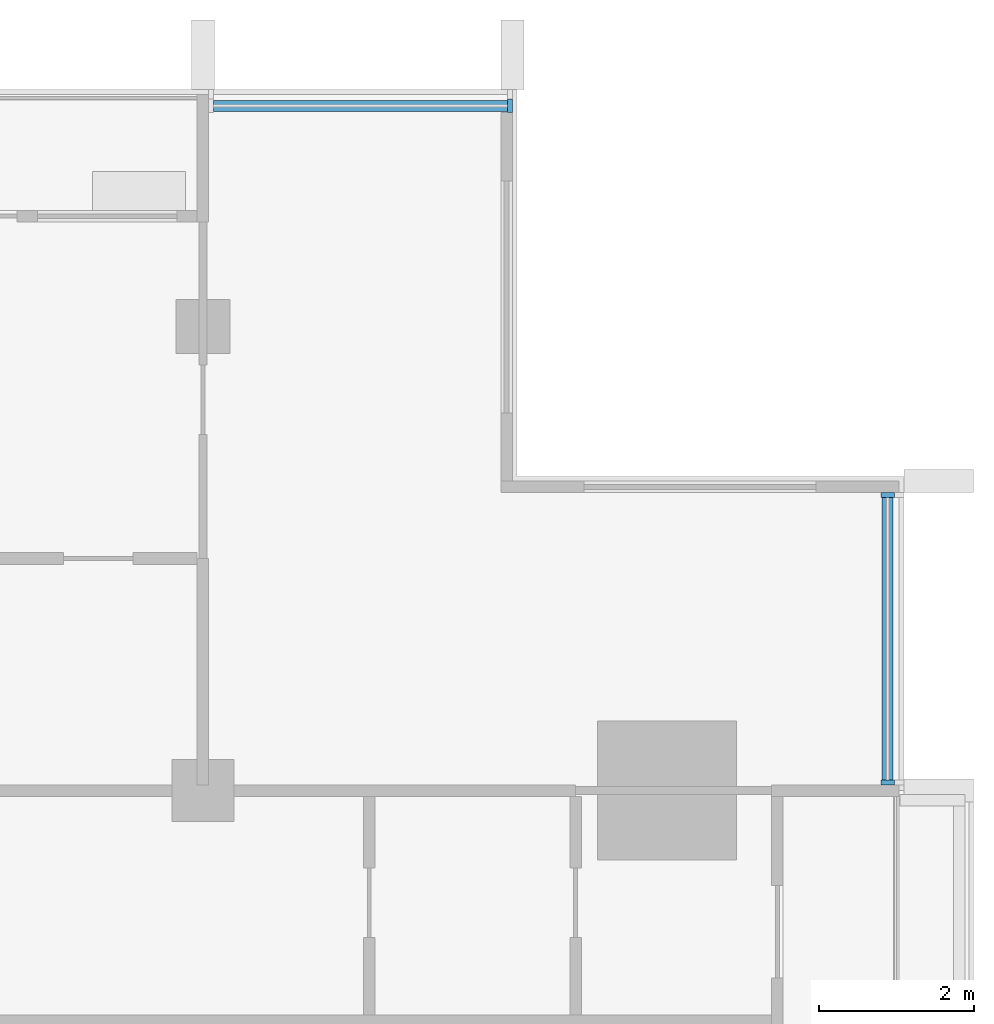
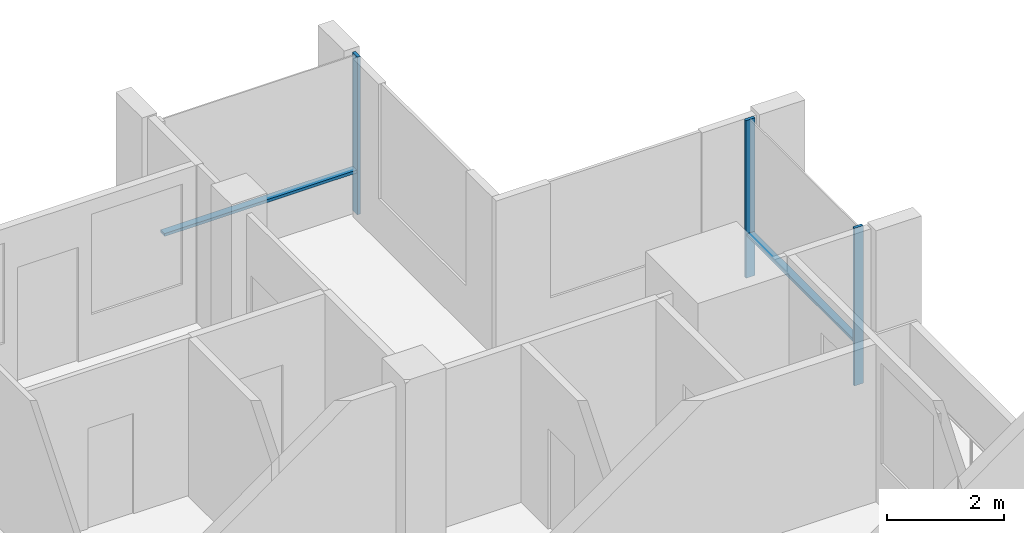
# One storey, part 5 of 16: 5 members, 2 elements without a shape of their own.
"""IFC4 building model written with IfcOpenShell, lengths in metres."""

from ifc_helpers import new_model, si_unit, direction, frame, origin, origin_2d, place, context, subcontext, project, spatial, rectangle, extrude, material, material_profile, profile_set, type_object, element, aggregate, save


model = new_model("IFC4")

# Units and contexts
model_context = context("Model", 3, precision=1e-05, world=origin(), true_north=direction((0.0, 1.0)))
body_context = subcontext(model_context, "Body", "Model", "MODEL_VIEW")
ifc_project = project(units=[si_unit("LENGTHUNIT", "METRE"), si_unit("AREAUNIT", "SQUARE_METRE"), si_unit("VOLUMEUNIT", "CUBIC_METRE"), si_unit("PLANEANGLEUNIT", "RADIAN"), si_unit("MASSUNIT", "GRAM", prefix="KILO")], contexts=[model_context])

# Site, building, storey
site_placement = place(None, origin())
site = spatial("IfcSite", under=ifc_project, at=site_placement, CompositionType="ELEMENT")
building_placement = place(site_placement, origin())
building = spatial("IfcBuilding", under=site, at=building_placement, Name="Finial Court Residences", CompositionType="ELEMENT")
storey_placement = place(building_placement, frame((0.0, 0.0, 259.10009765625)))
storey = spatial("IfcBuildingStorey", under=building, at=storey_placement, Name="L65", CompositionType="ELEMENT", Elevation=259.10009765625)

# Curtain wall, member
ifc_material = material(Name="Bronze anodised aluminium", Category="aluminium")
curtain_wall_type = type_object("IfcCurtainWallType", Name="Unitised curtain wall, upper zones", PredefinedType="NOTDEFINED", material=ifc_material)
curtain_wall_1_placement = place(storey_placement, origin())
curtain_wall_1 = element("IfcCurtainWall", 1, at=curtain_wall_1_placement, inside=storey, type_object=curtain_wall_type, Name="E-L65-CW-N3", PredefinedType="NOTDEFINED")
ifc_material_profile_1 = material_profile(ifc_material, rectangle(XDim=0.175048828125, YDim=0.06005859375, at=origin_2d()), Name="CW2 mullion 60 x 175")
ifc_profile_set_1 = profile_set([ifc_material_profile_1], Name="Bronze anodised aluminium")
member_type_1 = type_object("IfcMemberType", Name="CW2 mullion 60 x 175", PredefinedType="MULLION", material=ifc_profile_set_1)
member_1_placement = place(storey_placement, frame((14.469970703125, 16.35009765625, 0.0), z_axis=(0.0, 0.0, 1.0), x_axis=(0.0, 1.0, 0.0)))
member_1 = element("IfcMember", 2, at=member_1_placement, type_object=member_type_1, Name="CW2 mullion 2", PredefinedType="MULLION", context=body_context, shape_type="SweptSolid", body=[
    extrude(rectangle(XDim=0.175048828125, YDim=0.06005859375, at=origin_2d()), origin(), (0.0, 0.0, 1.0), 3.2998046875),
])

# Curtain wall, members
curtain_wall_2_placement = place(storey_placement, origin())
curtain_wall_2 = element("IfcCurtainWall", 3, at=curtain_wall_2_placement, inside=storey, type_object=curtain_wall_type, Name="E-L65-CW-E6", PredefinedType="NOTDEFINED")
member_2_placement = place(storey_placement, frame((19.35009765625, 7.60498046875, 0.0), z_axis=(0.0, 0.0, 1.0), x_axis=(-1.0, 0.0, 0.0)))
member_2 = element("IfcMember", 4, at=member_2_placement, type_object=member_type_1, Name="CW2 mullion 1", PredefinedType="MULLION", context=body_context, shape_type="SweptSolid", body=[
    extrude(rectangle(XDim=0.175048828125, YDim=0.06005859375, at=origin_2d()), origin(), (0.0, 0.0, 1.0), 3.2998046875),
])
member_3_placement = place(storey_placement, frame((19.35009765625, 11.320068359375, 0.0), z_axis=(0.0, 0.0, 1.0), x_axis=(-1.0, 0.0, 0.0)))
member_3 = element("IfcMember", 5, at=member_3_placement, type_object=member_type_1, Name="CW2 mullion 2", PredefinedType="MULLION", context=body_context, shape_type="SweptSolid", body=[
    extrude(rectangle(XDim=0.175048828125, YDim=0.06005859375, at=origin_2d()), origin(), (0.0, 0.0, 1.0), 3.2998046875),
])

# Member
ifc_material_profile_2 = material_profile(ifc_material, rectangle(XDim=0.139892578125, YDim=0.06005859375, at=origin_2d()), Name="CW2 transom 60 x 140")
ifc_profile_set_2 = profile_set([ifc_material_profile_2], Name="Bronze anodised aluminium")
member_type_2 = type_object("IfcMemberType", Name="CW2 transom 60 x 140", PredefinedType="USERDEFINED", material=ifc_profile_set_2)
member_4_placement = place(storey_placement, frame((10.635009765625, 16.35009765625, 0.89990234375), z_axis=(1.0, 0.0, 0.0), x_axis=(0.0, 1.0, 0.0)))
member_4 = element("IfcMember", 6, at=member_4_placement, type_object=member_type_2, Name="CW2 transom 1.1", ObjectType="TRANSOM", PredefinedType="USERDEFINED", context=body_context, shape_type="SweptSolid", body=[
    extrude(rectangle(XDim=0.139892578125, YDim=0.06005859375, at=origin_2d()), origin(), (0.0, 0.0, 1.0), 3.804931640625),
])

aggregate(curtain_wall_1, [member_1, member_4])

member_5_placement = place(storey_placement, frame((19.35009765625, 7.635009765625, 0.89990234375), z_axis=(0.0, 1.0, 0.0), x_axis=(-1.0, 0.0, 0.0)))
member_5 = element("IfcMember", 7, at=member_5_placement, type_object=member_type_2, Name="CW2 transom 1.1", ObjectType="TRANSOM", PredefinedType="USERDEFINED", context=body_context, shape_type="SweptSolid", body=[
    extrude(rectangle(XDim=0.139892578125, YDim=0.06005859375, at=origin_2d()), origin(), (0.0, 0.0, 1.0), 3.655029296875),
])

aggregate(curtain_wall_2, [member_2, member_3, member_5])

save(model, "model.ifc")
